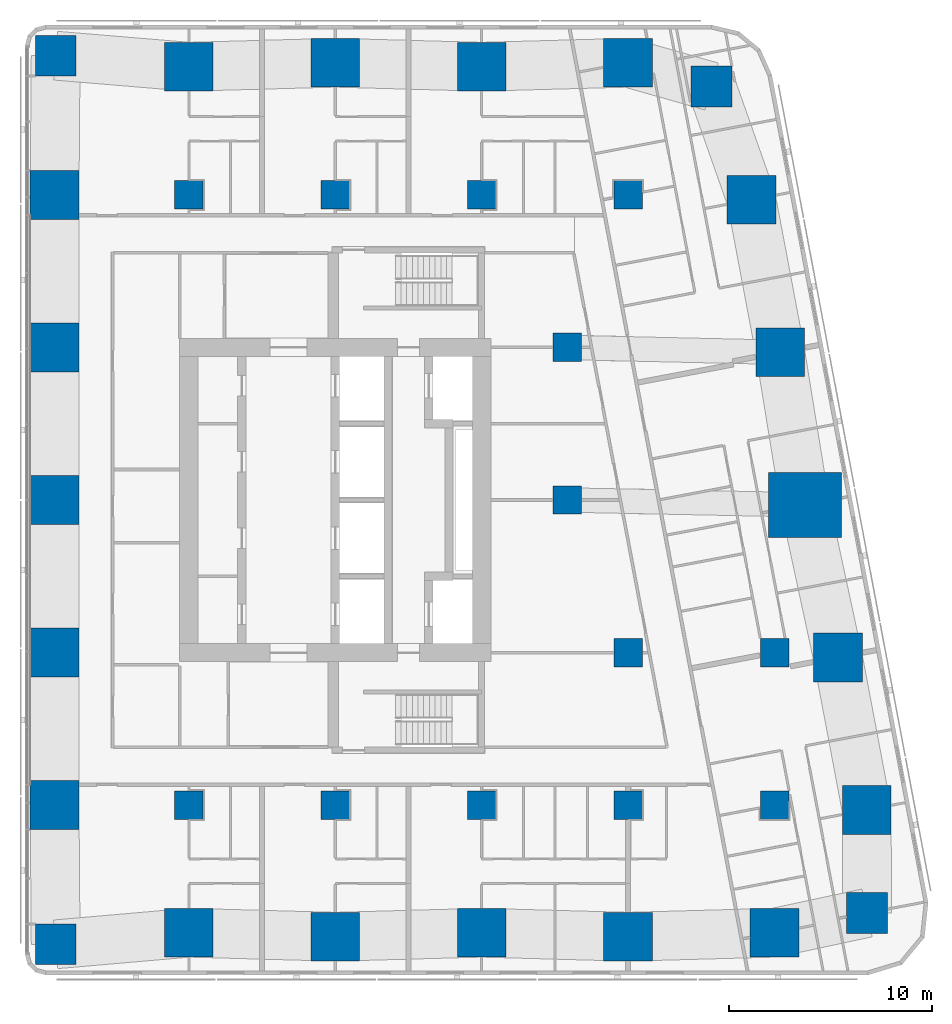
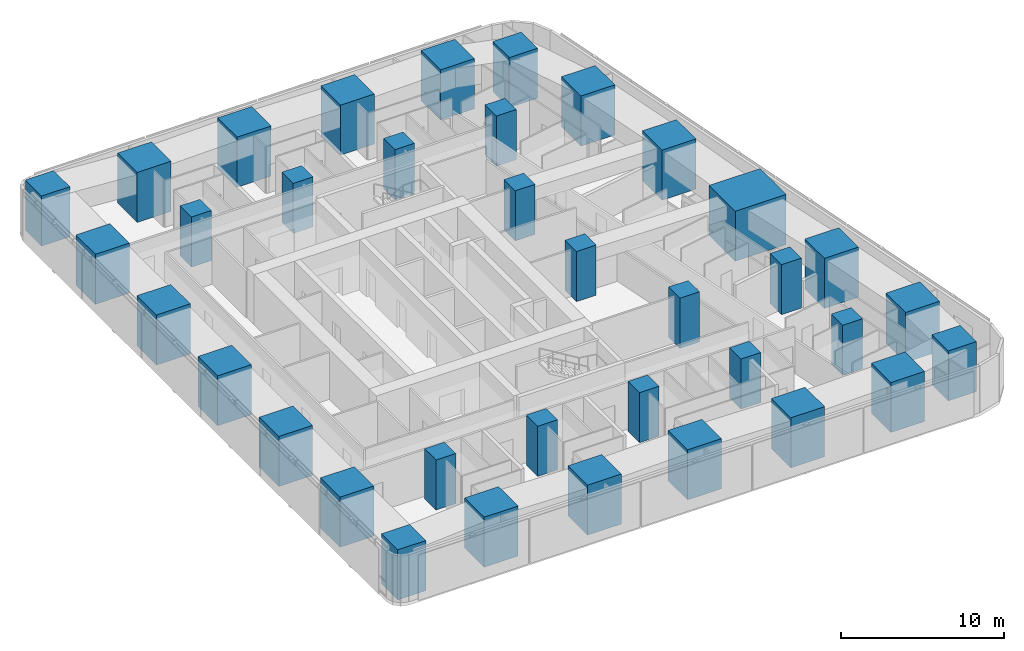
# One storey, part 1 of 17: 36 columns.
"""IFC4 building model written with IfcOpenShell, lengths in metres."""

from ifc_helpers import new_model, si_unit, direction, frame, origin, origin_2d, place, context, subcontext, project, spatial, rectangle, extrude, material, material_profile, profile_set, type_object, element, save


model = new_model("IFC4")

# Units and contexts
model_context = context("Model", 3, precision=1e-05, world=origin(), true_north=direction((0.0, 1.0)))
body_context = subcontext(model_context, "Body", "Model", "MODEL_VIEW")
ifc_project = project(units=[si_unit("LENGTHUNIT", "METRE"), si_unit("AREAUNIT", "SQUARE_METRE"), si_unit("VOLUMEUNIT", "CUBIC_METRE"), si_unit("PLANEANGLEUNIT", "RADIAN"), si_unit("MASSUNIT", "GRAM", prefix="KILO")], contexts=[model_context])

# Site, building, storey
site_placement = place(None, origin())
site = spatial("IfcSite", under=ifc_project, at=site_placement, CompositionType="ELEMENT")
building_placement = place(site_placement, origin())
building = spatial("IfcBuilding", under=site, at=building_placement, Name="Sheger Commons Tower", CompositionType="ELEMENT")
storey_placement = place(building_placement, frame((0.0, 0.0, 212.449951171875)))
storey = spatial("IfcBuildingStorey", under=building, at=storey_placement, Name="L54", CompositionType="ELEMENT", Elevation=212.449951171875)

# Columns
ifc_material_1 = material(Name="Concrete C50/60", Category="concrete")
ifc_material_profile_1 = material_profile(ifc_material_1, rectangle(XDim=3.60009765625, YDim=3.199951171875, at=origin_2d()), Name="RC 3600x3200")
ifc_profile_set_1 = profile_set([ifc_material_profile_1], Name="Concrete C50/60")
column_type_1 = type_object("IfcColumnType", Name="COLUMN PIER RC 3600x3200", PredefinedType="COLUMN", material=ifc_profile_set_1)
column_placement = place(storey_placement, frame((44.697021484375, 22.262939453125, 0.0), z_axis=(0.0, 0.0, 1.0), x_axis=(1.0, 0.0, 0.0)))
element("IfcColumn", 1, at=column_placement, inside=storey, type_object=column_type_1, Name="Pier 7/D+E/D L54", PredefinedType="COLUMN", context=body_context, shape_type="SweptSolid", body=[
    extrude(rectangle(XDim=3.60009765625, YDim=3.199951171875, at=origin_2d()), origin(), (0.0, 0.0, 1.0), 3.75),
])
ifc_material_2 = material(Name="Concrete C50/60", Category="concrete")
ifc_material_profile_2 = material_profile(ifc_material_2, rectangle(XDim=1.39990234375, YDim=1.39990234375, at=origin_2d()), Name="RC 1400x1400")
ifc_profile_set_2 = profile_set([ifc_material_profile_2], Name="Concrete C50/60")
column_type_2 = type_object("IfcColumnType", Name="COLUMN RC 1400x1400", PredefinedType="COLUMN", material=ifc_profile_set_2)
for number, where, z_axis, x_axis, name in (
    (2, (14.39990234375, 7.5, 0.0), (0.0, 0.0, 1.0), (1.0, 0.0, 0.0), "Column 3/B L54"),
    (3, (21.60009765625, 7.5, 0.0), (0.0, 0.0, 1.0), (1.0, 0.0, 0.0), "Column 4/B L54"),
    (4, (28.800048828125, 7.5, 0.0), (0.0, 0.0, 1.0), (1.0, 0.0, 0.0), "Column 5/B L54"),
    (5, (36.0, 7.5, 0.0), (0.0, 0.0, 1.0), (1.0, 0.0, 0.0), "Column 6/B L54"),
    (6, (43.199951171875, 7.5, 0.0), (0.0, 0.0, 1.0), (1.0, 0.0, 0.0), "Column 7/B L54"),
    (7, (36.0, 15.0, 0.0), (0.0, 0.0, 1.0), (1.0, 0.0, 0.0), "Column 6/C L54"),
    (8, (43.199951171875, 15.0, 0.0), (0.0, 0.0, 1.0), (1.0, 0.0, 0.0), "Column 7/C L54"),
    (9, (33.0, 22.5, 0.0), (0.0, 0.0, 1.0), (1.0, 0.0, 0.0), "Column 6-3000/D L54"),
    (10, (33.0, 30.0, 0.0), (0.0, 0.0, 1.0), (1.0, 0.0, 0.0), "Column 6-3000/E L54"),
    (11, (14.39990234375, 37.5, 0.0), (0.0, 0.0, 1.0), (1.0, 0.0, 0.0), "Column 3/F L54"),
    (12, (21.60009765625, 37.5, 0.0), (0.0, 0.0, 1.0), (1.0, 0.0, 0.0), "Column 4/F L54"),
    (13, (28.800048828125, 37.5, 0.0), (0.0, 0.0, 1.0), (1.0, 0.0, 0.0), "Column 5/F L54"),
    (14, (36.0, 37.5, 0.0), (0.0, 0.0, 1.0), (1.0, 0.0, 0.0), "Column 6/F L54"),
):
    element("IfcColumn", number, at=place(storey_placement, frame(where, z_axis=z_axis, x_axis=x_axis)), inside=storey, type_object=column_type_2, Name=name, PredefinedType="COLUMN", context=body_context, shape_type="SweptSolid", body=[
        extrude(rectangle(XDim=1.39990234375, YDim=1.39990234375, at=origin_2d()), origin(), (0.0, 0.0, 1.0), 3.75),
    ])
ifc_material_3 = material(Name="Concrete C50/60", Category="concrete")
ifc_material_profile_3 = material_profile(ifc_material_3, rectangle(XDim=2.0, YDim=2.0, at=origin_2d()), Name="RC 2000x2000")
ifc_profile_set_3 = profile_set([ifc_material_profile_3], Name="Concrete C50/60")
column_type_3 = type_object("IfcColumnType", Name="COLUMN RC 2000x2000", PredefinedType="COLUMN", material=ifc_profile_set_3)
for number, where, z_axis, x_axis, name in (
    (15, (7.85400390625, 0.654052734375, 0.0), (0.0, 0.0, 1.0), (1.0, 0.0, 0.0), "Column 2/A L54"),
    (16, (47.748046875, 2.197021484375, 0.0), (0.0, 0.0, 1.0), (1.0, 0.0, 0.0), "Column 49.461,0.778 L54"),
    (17, (40.10205078125, 42.830078125, 0.0), (0.0, 0.0, 1.0), (1.0, 0.0, 0.0), "Column 41.490,44.505 L54"),
    (18, (7.85400390625, 44.345947265625, 0.0), (0.0, 0.0, 1.0), (1.0, 0.0, 0.0), "Column 2/G L54"),
):
    element("IfcColumn", number, at=place(storey_placement, frame(where, z_axis=z_axis, x_axis=x_axis)), inside=storey, type_object=column_type_3, Name=name, PredefinedType="COLUMN", context=body_context, shape_type="SweptSolid", body=[
        extrude(rectangle(XDim=2.0, YDim=2.0, at=origin_2d()), origin(), (0.0, 0.0, 1.0), 3.75),
    ])
ifc_material_4 = material(Name="Concrete C50/60", Category="concrete")
ifc_material_profile_4 = material_profile(ifc_material_4, rectangle(XDim=2.39990234375, YDim=2.39990234375, at=origin_2d()), Name="RC 2400x2400")
ifc_profile_set_4 = profile_set([ifc_material_profile_4], Name="Concrete C50/60")
column_type_4 = type_object("IfcColumnType", Name="COLUMN RC 2400x2400", PredefinedType="COLUMN", material=ifc_profile_set_4)
for number, where, z_axis, x_axis, name in (
    (19, (14.39990234375, 1.22509765625, 0.0), (0.0, 0.0, 1.0), (1.0, 0.0, 0.0), "Column 3/A L54"),
    (20, (21.60009765625, 1.02490234375, 0.0), (0.0, 0.0, 1.0), (1.0, 0.0, 0.0), "Column 4/A L54"),
    (21, (28.800048828125, 1.22509765625, 0.0), (0.0, 0.0, 1.0), (1.0, 0.0, 0.0), "Column 5/A L54"),
    (22, (36.0, 1.02490234375, 0.0), (0.0, 0.0, 1.0), (1.0, 0.0, 0.0), "Column 6/A L54"),
    (23, (43.199951171875, 1.22509765625, 0.0), (0.0, 0.0, 1.0), (1.0, 0.0, 0.0), "Column 7/A L54"),
    (24, (7.800048828125, 7.5, 0.0), (0.0, 0.0, 1.0), (1.0, 0.0, 0.0), "Column 2/B L54"),
    (25, (47.72998046875, 7.262939453125, 0.0), (0.0, 0.0, 1.0), (1.0, 0.0, 0.0), "Column E/B L54"),
    (26, (7.800048828125, 15.0, 0.0), (0.0, 0.0, 1.0), (1.0, 0.0, 0.0), "Column 2/C L54"),
    (27, (46.31396484375, 14.762939453125, 0.0), (0.0, 0.0, 1.0), (1.0, 0.0, 0.0), "Column E/C L54"),
    (28, (7.800048828125, 22.5, 0.0), (0.0, 0.0, 1.0), (1.0, 0.0, 0.0), "Column 2/D L54"),
    (29, (7.800048828125, 30.0, 0.0), (0.0, 0.0, 1.0), (1.0, 0.0, 0.0), "Column 2/E L54"),
    (30, (43.47998046875, 29.762939453125, 0.0), (0.0, 0.0, 1.0), (1.0, 0.0, 0.0), "Column E/E L54"),
    (31, (7.800048828125, 37.5, 0.0), (0.0, 0.0, 1.0), (1.0, 0.0, 0.0), "Column 2/F L54"),
    (32, (42.06396484375, 37.262939453125, 0.0), (0.0, 0.0, 1.0), (1.0, 0.0, 0.0), "Column E/F L54"),
    (33, (14.39990234375, 43.800048828125, 0.0), (0.0, 0.0, 1.0), (1.0, 0.0, 0.0), "Column 3/G L54"),
    (34, (21.60009765625, 44.0, 0.0), (0.0, 0.0, 1.0), (1.0, 0.0, 0.0), "Column 4/G L54"),
    (35, (28.800048828125, 43.800048828125, 0.0), (0.0, 0.0, 1.0), (1.0, 0.0, 0.0), "Column 5/G L54"),
    (36, (36.0, 44.0, 0.0), (0.0, 0.0, 1.0), (1.0, 0.0, 0.0), "Column 6/G L54"),
):
    element("IfcColumn", number, at=place(storey_placement, frame(where, z_axis=z_axis, x_axis=x_axis)), inside=storey, type_object=column_type_4, Name=name, PredefinedType="COLUMN", context=body_context, shape_type="SweptSolid", body=[
        extrude(rectangle(XDim=2.39990234375, YDim=2.39990234375, at=origin_2d()), origin(), (0.0, 0.0, 1.0), 3.75),
    ])

save(model, "model.ifc")
